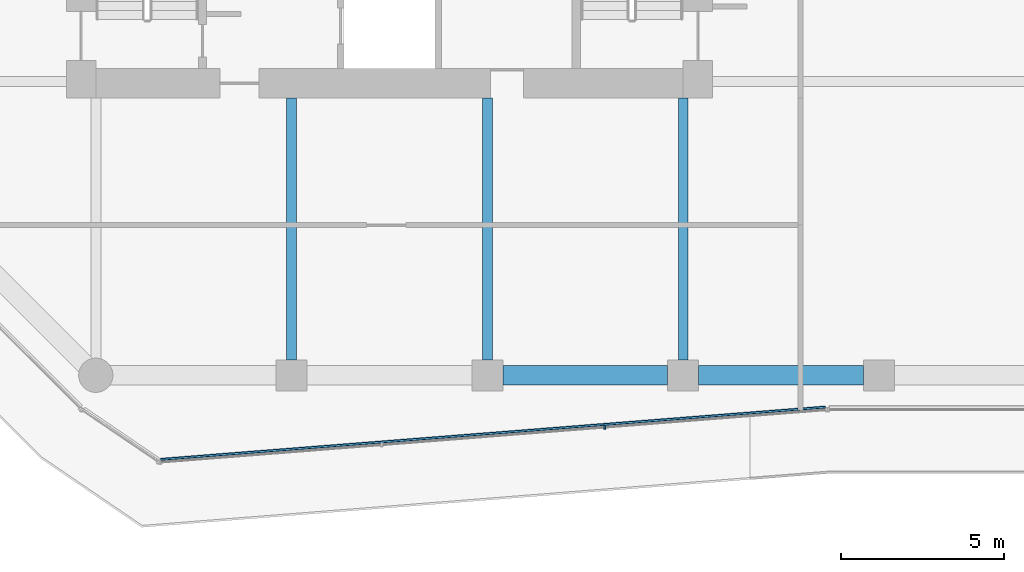
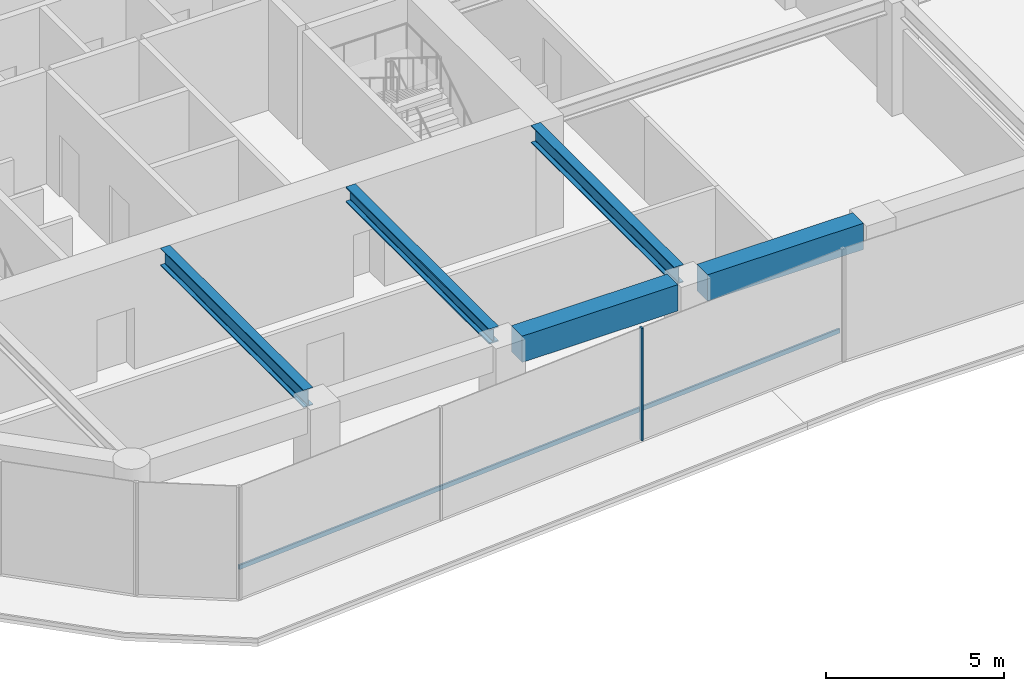
# One storey, part 3 of 28: 5 beams, 2 members, 1 element without a shape of its own.
"""IFC4 building model written with IfcOpenShell, lengths in metres."""

from ifc_helpers import new_model, si_unit, direction, frame, origin, origin_2d, place, context, subcontext, project, spatial, rectangle, i_section, extrude, material, layer, layer_set, material_profile, profile_set, type_object, element, aggregate, save


model = new_model("IFC4")

# Units and contexts
model_context = context("Model", 3, precision=1e-05, world=origin(), true_north=direction((0.0, 1.0)))
body_context = subcontext(model_context, "Body", "Model", "MODEL_VIEW")
ifc_project = project(units=[si_unit("LENGTHUNIT", "METRE"), si_unit("AREAUNIT", "SQUARE_METRE"), si_unit("VOLUMEUNIT", "CUBIC_METRE"), si_unit("PLANEANGLEUNIT", "RADIAN"), si_unit("MASSUNIT", "GRAM", prefix="KILO")], contexts=[model_context])

# Site, building, storey
site_placement = place(None, origin())
site = spatial("IfcSite", under=ifc_project, at=site_placement, CompositionType="ELEMENT")
building_placement = place(site_placement, origin())
building = spatial("IfcBuilding", under=site, at=building_placement, Name="Welwitschia Terrace Campus", CompositionType="ELEMENT")
storey_placement = place(building_placement, frame((0.0, 0.0, 71.0)))
storey = spatial("IfcBuildingStorey", under=building, at=storey_placement, Name="L16", CompositionType="ELEMENT", Elevation=71.0)

# Beam
ifc_material_1 = material(Name="Steel S355", Category="steel")
ifc_material_profile_1 = material_profile(ifc_material_1, i_section(OverallWidth=0.305908203125, OverallDepth=0.52392578125, WebThickness=0.02099609375, FlangeThickness=0.0400390625, FilletRadius=0.027099609375, at=origin_2d()))
ifc_profile_set_1 = profile_set([ifc_material_profile_1], Name="Steel S355")
beam_type_1 = type_object("IfcBeamType", Name="Interior girder HE 500 M", PredefinedType="BEAM", material=ifc_profile_set_1)
beam_placement = place(storey_placement, frame((18.0, -3.534423828125, 3.587890625), z_axis=(0.0, 1.0, 0.0), x_axis=(-1.0, 0.0, 0.0)))
element("IfcBeam", 1, at=beam_placement, inside=storey, type_object=beam_type_1, Name="Girder GB2", PredefinedType="BEAM", context=body_context, shape_type="SweptSolid", body=[
    extrude(i_section(OverallWidth=0.305908203125, OverallDepth=0.52392578125, WebThickness=0.02099609375, FlangeThickness=0.0400390625, FilletRadius=0.027099609375, at=origin_2d()), origin(), (0.0, 0.0, 1.0), 8.033447265625),
])

# Curtain wall, member
ifc_material_2 = material(Name="Bronze anodised aluminium", Category="aluminium")
ifc_layer = layer(ifc_material_2, 0.1201171875)
ifc_layer_set = layer_set([ifc_layer], Name="Bronze anodised aluminium")
curtain_wall_type = type_object("IfcCurtainWallType", Name="Curtain wall CW2 tower 6000", PredefinedType="NOTDEFINED", material=ifc_layer_set)
curtain_wall_placement = place(storey_placement, origin())
curtain_wall = element("IfcCurtainWall", 2, at=curtain_wall_placement, inside=storey, type_object=curtain_wall_type, Name="CW L16.4.0", PredefinedType="NOTDEFINED")
ifc_material_3 = material(Name="Bronze anodised aluminium", Category="aluminium")
ifc_material_profile_2 = material_profile(ifc_material_3, rectangle(XDim=0.1201171875, YDim=0.06005859375, at=origin_2d()))
ifc_profile_set_2 = profile_set([ifc_material_profile_2], Name="Bronze anodised aluminium")
member_type_1 = type_object("IfcMemberType", Name="Mullion 60x120", PredefinedType="MULLION", material=ifc_profile_set_2)
member_1_placement = place(storey_placement, frame((21.592529296875, -5.595458984375, 0.0), z_axis=(0.0, 0.0, 1.0), x_axis=(-0.078459095728, 0.996917333733, 0.0)))
member_1 = element("IfcMember", 3, at=member_1_placement, type_object=member_type_1, Name="Mullion L16.4.0.2", PredefinedType="MULLION", context=body_context, shape_type="SweptSolid", body=[
    extrude(rectangle(XDim=0.1201171875, YDim=0.06005859375, at=origin_2d()), origin(), (0.0, 0.0, 1.0), 3.85009765625),
])

# Beams
ifc_material_4 = material(Name="Steel S355", Category="steel")
ifc_material_profile_3 = material_profile(ifc_material_4, i_section(OverallWidth=0.300048828125, OverallDepth=0.60009765625, WebThickness=0.015380859375, FlangeThickness=0.030029296875, FilletRadius=0.027099609375, at=origin_2d()))
ifc_profile_set_3 = profile_set([ifc_material_profile_3], Name="Steel S355")
beam_type_2 = type_object("IfcBeamType", Name="Primary beam HE 600 B", PredefinedType="BEAM", material=ifc_profile_set_3)
for number, where, z_axis, x_axis, name in (
    (4, (12.0, -3.5244140625, 3.550048828125), (0.0, 1.0, 0.0), (-1.0, 0.0, 0.0), "Primary beam PB2"),
    (5, (24.0, -3.5244140625, 3.550048828125), (0.0, 1.0, 0.0), (-1.0, 0.0, 0.0), "Primary beam PB2"),
):
    element("IfcBeam", number, at=place(storey_placement, frame(where, z_axis=z_axis, x_axis=x_axis)), inside=storey, type_object=beam_type_2, Name=name, PredefinedType="BEAM", context=body_context, shape_type="SweptSolid", body=[
        extrude(i_section(OverallWidth=0.300048828125, OverallDepth=0.60009765625, WebThickness=0.015380859375, FlangeThickness=0.030029296875, FilletRadius=0.027099609375, at=origin_2d()), origin(), (0.0, 0.0, 1.0), 8.0244140625),
    ])
ifc_material_5 = material(Name="Concrete C60/75", Category="concrete")
ifc_material_profile_4 = material_profile(ifc_material_5, rectangle(XDim=0.60009765625, YDim=0.89990234375, at=origin_2d()))
ifc_profile_set_4 = profile_set([ifc_material_profile_4], Name="Concrete C60/75")
beam_type_3 = type_object("IfcBeamType", Name="Ring spandrel 600x900", PredefinedType="SPANDREL", material=ifc_profile_set_4)
for number, where, z_axis, x_axis, name in (
    (6, (18.4755859375, -4.0, 3.39990234375), (1.0, 0.0, 0.0), (0.0, 1.0, 0.0), "Spandrel SP2"),
    (7, (24.4755859375, -4.0, 3.39990234375), (1.0, 0.0, 0.0), (0.0, 1.0, 0.0), "Spandrel SP2"),
):
    element("IfcBeam", number, at=place(storey_placement, frame(where, z_axis=z_axis, x_axis=x_axis)), inside=storey, type_object=beam_type_3, Name=name, PredefinedType="SPANDREL", context=body_context, shape_type="SweptSolid", body=[
        extrude(rectangle(XDim=0.60009765625, YDim=0.89990234375, at=origin_2d()), origin(), (0.0, 0.0, 1.0), 5.048828125),
    ])

# Member
ifc_material_6 = material(Name="Bronze anodised aluminium", Category="aluminium")
ifc_material_profile_5 = material_profile(ifc_material_6, rectangle(XDim=0.06005859375, YDim=0.14990234375, at=origin_2d()))
ifc_profile_set_5 = profile_set([ifc_material_profile_5], Name="Bronze anodised aluminium")
member_type_2 = type_object("IfcMemberType", Name="Transom 60x150", PredefinedType="USERDEFINED", material=ifc_profile_set_5)
member_2_placement = place(storey_placement, frame((7.9873046875, -6.575927734375, 1.0), z_axis=(0.996916970303, 0.078463713404, 0.0), x_axis=(-0.078463713404, 0.996916970303, 0.0)))
member_2 = element("IfcMember", 8, at=member_2_placement, type_object=member_type_2, Name="Transom L16.4.0", ObjectType="TRANSOM", PredefinedType="USERDEFINED", context=body_context, shape_type="SweptSolid", body=[
    extrude(rectangle(XDim=0.06005859375, YDim=0.14990234375, at=origin_2d()), origin(), (0.0, 0.0, 1.0), 20.43017578125),
])

aggregate(curtain_wall, [member_1, member_2])

save(model, "model.ifc")
